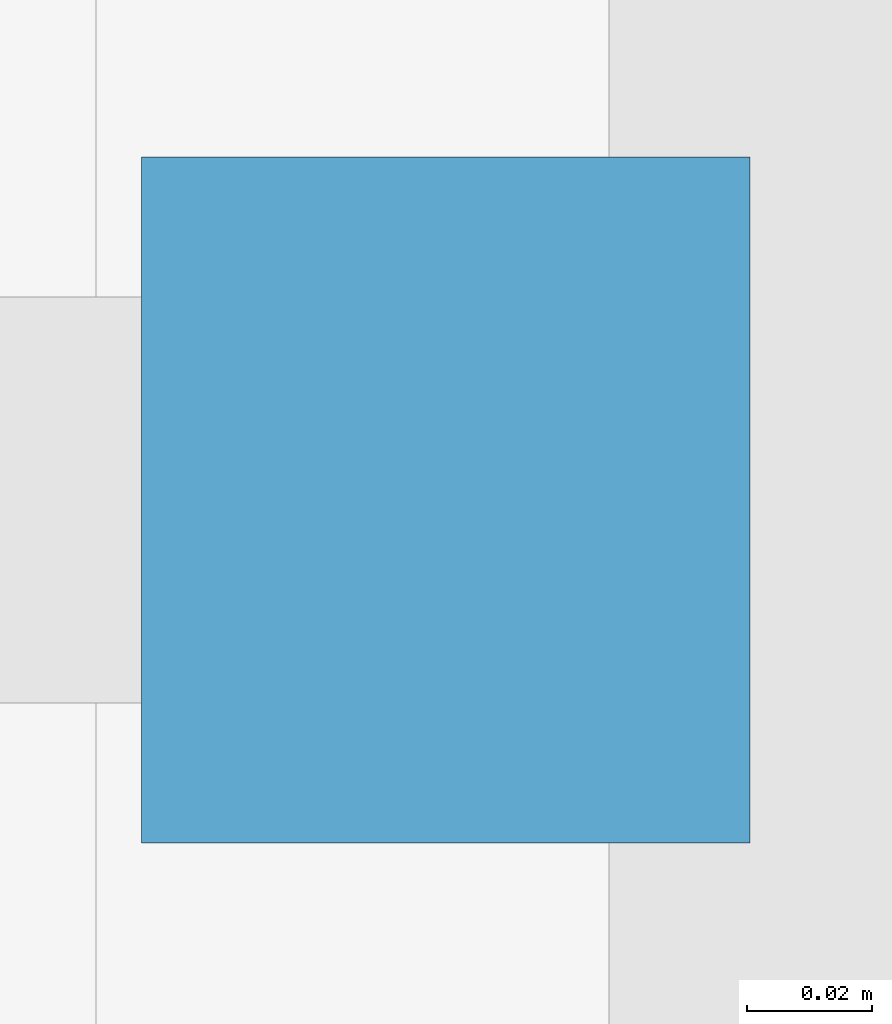
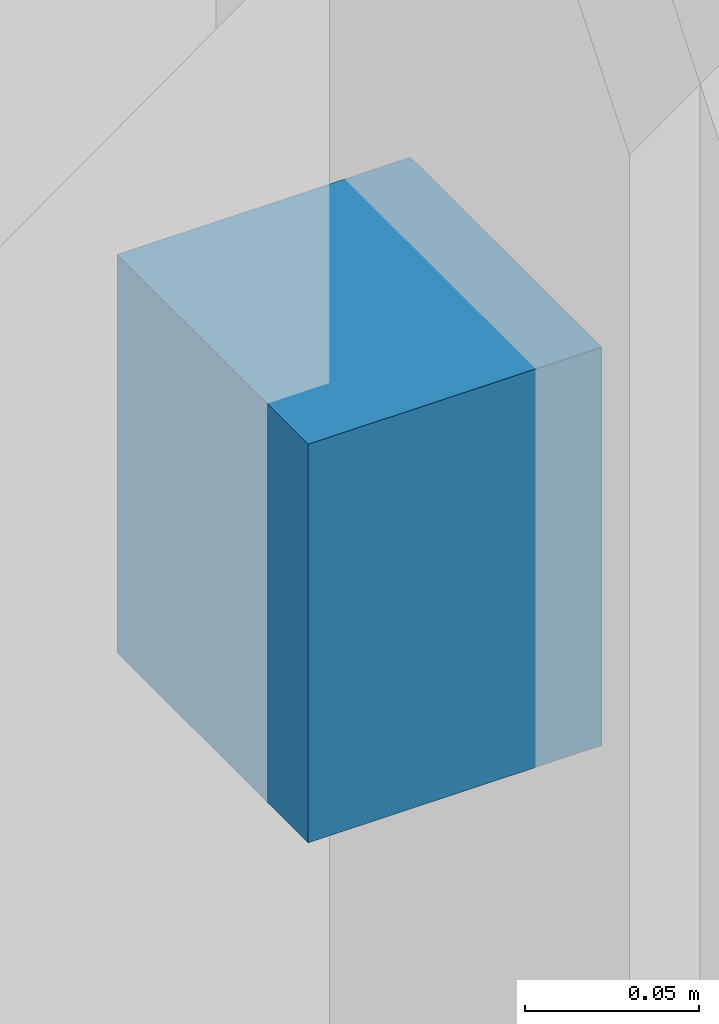
# One storey, part 12 of 19: 1 discrete accessory.
"""IFC4 building model written with IfcOpenShell, lengths in metres."""

from ifc_helpers import new_model, si_unit, direction, frame, origin, place, context, subcontext, project, spatial, polyline, outline, extrude, material, type_object, element, save


model = new_model("IFC4")

# Units and contexts
model_context = context("Model", 3, precision=1e-05, world=origin(), true_north=direction((0.0, 1.0)))
body_context = subcontext(model_context, "Body", "Model", "MODEL_VIEW")
ifc_project = project(units=[si_unit("LENGTHUNIT", "METRE"), si_unit("AREAUNIT", "SQUARE_METRE"), si_unit("VOLUMEUNIT", "CUBIC_METRE"), si_unit("PLANEANGLEUNIT", "RADIAN"), si_unit("MASSUNIT", "GRAM", prefix="KILO")], contexts=[model_context])

# Site, building, storey
site_placement = place(None, origin())
site = spatial("IfcSite", under=ifc_project, at=site_placement, CompositionType="ELEMENT")
building_placement = place(site_placement, origin())
building = spatial("IfcBuilding", under=site, at=building_placement, Name="Qalmaran Belvedere Hotel", CompositionType="ELEMENT")
storey_placement = place(building_placement, frame((0.0, 0.0, 28.39990234375)))
storey = spatial("IfcBuildingStorey", under=building, at=storey_placement, Name="L06", CompositionType="ELEMENT", Elevation=28.39990234375)

# Discrete accessory
ifc_material = material(Name="Stainless Steel 1.4401", Category="steel")
discrete_accessory_type = type_object("IfcDiscreteAccessoryType", Name="BRK-FIN-SS316", PredefinedType="BRACKET", material=ifc_material)
discrete_accessory_placement = place(storey_placement, frame((0.0, 0.0, 2.31005859375)))
element("IfcDiscreteAccessory", 1, at=discrete_accessory_placement, inside=storey, type_object=discrete_accessory_type, Name="L06 Fin Bracket 3", PredefinedType="BRACKET", context=body_context, shape_type="SweptSolid", body=[
    extrude(outline(polyline([(11.455078125, 16.705078125), (11.357421875, 16.705078125), (11.357421875, 16.594970703125), (11.455078125, 16.594970703125), (11.455078125, 16.705078125)])), origin(), (0.0, 0.0, 1.0), 0.14013671875),
])

save(model, "model.ifc")
